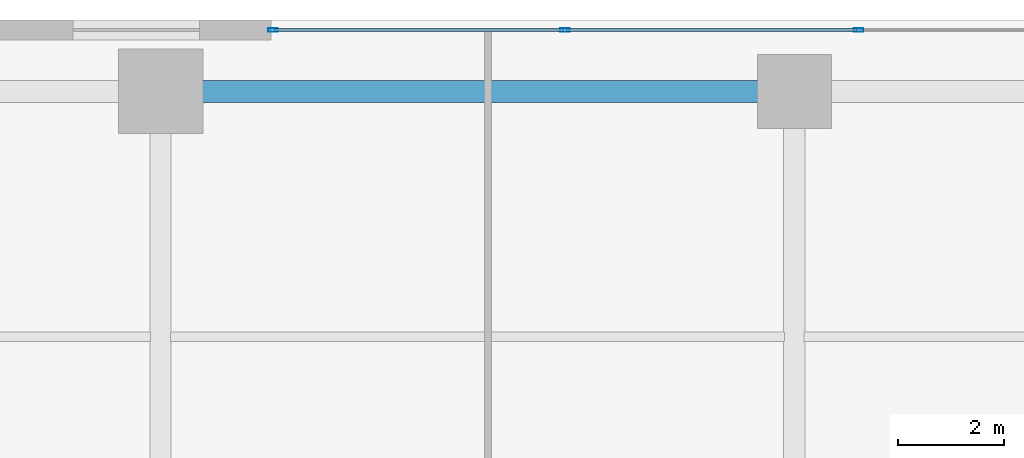
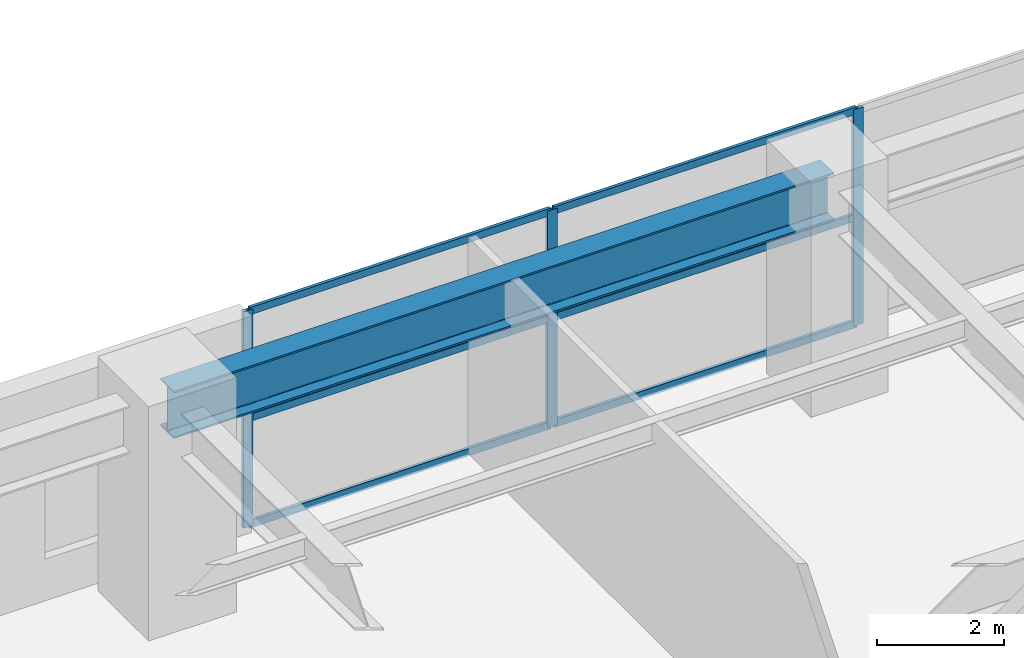
# One storey, part 5 of 26: 9 members, 1 beam, 1 element without a shape of its own.
"""IFC4 building model written with IfcOpenShell, lengths in metres."""

from ifc_helpers import new_model, si_unit, direction, frame, origin, origin_2d, place, context, subcontext, project, spatial, hollow_rectangle, i_section, extrude, source, transform, mapped, material, layer, layer_set, material_profile, profile_set, type_object, element, aggregate, save


model = new_model("IFC4")

# Units and contexts
model_context = context("Model", 3, precision=1e-05, world=origin(), true_north=direction((0.0, 1.0)))
body_context = subcontext(model_context, "Body", "Model", "MODEL_VIEW")
ifc_project = project(units=[si_unit("LENGTHUNIT", "METRE"), si_unit("AREAUNIT", "SQUARE_METRE"), si_unit("VOLUMEUNIT", "CUBIC_METRE"), si_unit("PLANEANGLEUNIT", "RADIAN"), si_unit("MASSUNIT", "GRAM", prefix="KILO")], contexts=[model_context])

# Site, building, storey
site_placement = place(None, origin())
site = spatial("IfcSite", under=ifc_project, at=site_placement, CompositionType="ELEMENT")
building_placement = place(site_placement, origin())
building = spatial("IfcBuilding", under=site, at=building_placement, Name="Khoralis Quay Care Tower", CompositionType="ELEMENT")
storey_placement = place(building_placement, frame((0.0, 0.0, 13.5)))
storey = spatial("IfcBuildingStorey", under=building, at=storey_placement, Name="L03", CompositionType="ELEMENT", Elevation=13.5)

# Beam
ifc_material_1 = material(Name="Steel S355", Category="steel")
ifc_material_profile_1 = material_profile(ifc_material_1, i_section(OverallWidth=0.41796875, OverallDepth=0.912109375, WebThickness=0.019287109375, FlangeThickness=0.031982421875, FilletRadius=0.02392578125, at=origin_2d()), Name="Steel S355")
ifc_profile_set_1 = profile_set([ifc_material_profile_1], Name="Steel S355")
beam_type = type_object("IfcBeamType", Name="BM-W920X342", PredefinedType="BEAM", material=ifc_profile_set_1)
shared_shape_1 = source(origin(), body_context, "Body", "SweptSolid", [
    extrude(i_section(OverallWidth=0.41796875, OverallDepth=0.912109375, WebThickness=0.019287109375, FlangeThickness=0.031982421875, FilletRadius=0.02392578125, at=origin_2d()), origin(), (0.0, 0.0, 1.0), 12.0),
])
beam_placement = place(storey_placement, frame((12.0, 46.64990234375, 3.7041015625), z_axis=(1.0, 0.0, 0.0), x_axis=(0.0, 1.0, 0.0)))
element("IfcBeam", 1, at=beam_placement, inside=storey, type_object=beam_type, Name="BM-PODX-L03-20", PredefinedType="BEAM", context=body_context, shape_type="MappedRepresentation", body=[
    mapped(shared_shape_1, transform((0.0, 0.0, 0.0), scale=1.0)),
])

# Curtain wall, members
ifc_material_2 = material(Name="Pale anodised aluminium", Category="aluminium")
ifc_layer = layer(ifc_material_2, 0.179931640625)
ifc_layer_set = layer_set([ifc_layer], Name="Pale anodised aluminium")
curtain_wall_type = type_object("IfcCurtainWallType", Name="CW-SYS-Z1", PredefinedType="NOTDEFINED", material=ifc_layer_set)
curtain_wall_placement = place(storey_placement, origin())
curtain_wall = element("IfcCurtainWall", 2, at=curtain_wall_placement, inside=storey, type_object=curtain_wall_type, Name="L03 Unitised Curtain Wall CW-POD-L03-E4", PredefinedType="NOTDEFINED")
ifc_material_profile_2 = material_profile(ifc_material_2, hollow_rectangle(XDim=0.06494140625, YDim=0.179931640625, WallThickness=0.00390625, at=origin_2d()), Name="Pale anodised aluminium")
ifc_profile_set_2 = profile_set([ifc_material_profile_2], Name="Pale anodised aluminium")
member_type_1 = type_object("IfcMemberType", Name="CW-MUL-180", PredefinedType="MULLION", material=ifc_profile_set_2)
shared_shape_2 = source(origin(), body_context, "Body", "SweptSolid", [
    extrude(hollow_rectangle(XDim=0.06494140625, YDim=0.179931640625, WallThickness=0.00390625, at=origin_2d()), origin(), (0.0, 0.0, 1.0), 4.159912109375),
])
member_1_placement = place(storey_placement, frame((25.218994140625, 47.81005859375, 0.0), z_axis=(0.0, 0.0, 1.0), x_axis=(0.0, -1.0, 0.0)))
member_1 = element("IfcMember", 3, at=member_1_placement, type_object=member_type_1, Name="CW1 mullion 4", PredefinedType="MULLION", context=body_context, shape_type="MappedRepresentation", body=[
    mapped(shared_shape_2, transform((0.0, 0.0, 0.0), scale=1.0)),
])
member_2_placement = place(storey_placement, frame((19.656982421875, 47.81005859375, 0.0), z_axis=(0.0, 0.0, 1.0), x_axis=(0.0, -1.0, 0.0)))
member_2 = element("IfcMember", 4, at=member_2_placement, type_object=member_type_1, Name="CW1 mullion 5", PredefinedType="MULLION", context=body_context, shape_type="MappedRepresentation", body=[
    mapped(shared_shape_2, transform((0.0, 0.0, 0.0), scale=1.0)),
])
member_3_placement = place(storey_placement, frame((14.125, 47.81005859375, 0.0), z_axis=(0.0, 0.0, 1.0), x_axis=(0.0, -1.0, 0.0)))
member_3 = element("IfcMember", 5, at=member_3_placement, type_object=member_type_1, Name="CW1 mullion 6", PredefinedType="MULLION", context=body_context, shape_type="MappedRepresentation", body=[
    mapped(shared_shape_2, transform((0.0, 0.0, 0.0), scale=1.0)),
])
ifc_material_profile_3 = material_profile(ifc_material_2, hollow_rectangle(XDim=0.06005859375, YDim=0.139892578125, WallThickness=0.00390625, at=origin_2d()), Name="Pale anodised aluminium")
ifc_profile_set_3 = profile_set([ifc_material_profile_3], Name="Pale anodised aluminium")
member_type_2 = type_object("IfcMemberType", Name="CW-TRN-140", PredefinedType="USERDEFINED", material=ifc_profile_set_3)
shared_shape_3 = source(origin(), body_context, "Body", "SweptSolid", [
    extrude(hollow_rectangle(XDim=0.06005859375, YDim=0.139892578125, WallThickness=0.00390625, at=origin_2d()), origin(), (0.0, 0.0, 1.0), 5.471923828125),
])
member_4_placement = place(storey_placement, frame((19.626953125, 47.81005859375, 0.030029296875), z_axis=(-1.0, 0.0, 0.0), x_axis=(0.0, -1.0, 0.0)))
member_4 = element("IfcMember", 6, at=member_4_placement, type_object=member_type_2, Name="CW1 transom 5.1", ObjectType="TRANSOM", PredefinedType="USERDEFINED", context=body_context, shape_type="MappedRepresentation", body=[
    mapped(shared_shape_3, transform((0.0, 0.0, 0.0), scale=1.0)),
])
member_5_placement = place(storey_placement, frame((19.626953125, 47.81005859375, 2.080078125), z_axis=(-1.0, 0.0, 0.0), x_axis=(0.0, -1.0, 0.0)))
member_5 = element("IfcMember", 7, at=member_5_placement, type_object=member_type_2, Name="CW1 transom 5.2", ObjectType="TRANSOM", PredefinedType="USERDEFINED", context=body_context, shape_type="MappedRepresentation", body=[
    mapped(shared_shape_3, transform((0.0, 0.0, 0.0), scale=1.0)),
])
member_6_placement = place(storey_placement, frame((19.626953125, 47.81005859375, 4.1298828125), z_axis=(-1.0, 0.0, 0.0), x_axis=(0.0, -1.0, 0.0)))
member_6 = element("IfcMember", 8, at=member_6_placement, type_object=member_type_2, Name="CW1 transom 5.3", ObjectType="TRANSOM", PredefinedType="USERDEFINED", context=body_context, shape_type="MappedRepresentation", body=[
    mapped(shared_shape_3, transform((0.0, 0.0, 0.0), scale=1.0)),
])
shared_shape_4 = source(origin(), body_context, "Body", "SweptSolid", [
    extrude(hollow_rectangle(XDim=0.06005859375, YDim=0.139892578125, WallThickness=0.00390625, at=origin_2d()), origin(), (0.0, 0.0, 1.0), 5.501953125),
])
member_7_placement = place(storey_placement, frame((25.18896484375, 47.81005859375, 0.030029296875), z_axis=(-1.0, 0.0, 0.0), x_axis=(0.0, -1.0, 0.0)))
member_7 = element("IfcMember", 9, at=member_7_placement, type_object=member_type_2, Name="CW1 transom 4.1", ObjectType="TRANSOM", PredefinedType="USERDEFINED", context=body_context, shape_type="MappedRepresentation", body=[
    mapped(shared_shape_4, transform((0.0, 0.0, 0.0), scale=1.0)),
])
member_8_placement = place(storey_placement, frame((25.18896484375, 47.81005859375, 2.080078125), z_axis=(-1.0, 0.0, 0.0), x_axis=(0.0, -1.0, 0.0)))
member_8 = element("IfcMember", 10, at=member_8_placement, type_object=member_type_2, Name="CW1 transom 4.2", ObjectType="TRANSOM", PredefinedType="USERDEFINED", context=body_context, shape_type="MappedRepresentation", body=[
    mapped(shared_shape_4, transform((0.0, 0.0, 0.0), scale=1.0)),
])
member_9_placement = place(storey_placement, frame((25.18896484375, 47.81005859375, 4.1298828125), z_axis=(-1.0, 0.0, 0.0), x_axis=(0.0, -1.0, 0.0)))
member_9 = element("IfcMember", 11, at=member_9_placement, type_object=member_type_2, Name="CW1 transom 4.3", ObjectType="TRANSOM", PredefinedType="USERDEFINED", context=body_context, shape_type="MappedRepresentation", body=[
    mapped(shared_shape_4, transform((0.0, 0.0, 0.0), scale=1.0)),
])
aggregate(curtain_wall, [member_1, member_2, member_3, member_7, member_8, member_9, member_4, member_5, member_6])

save(model, "model.ifc")
